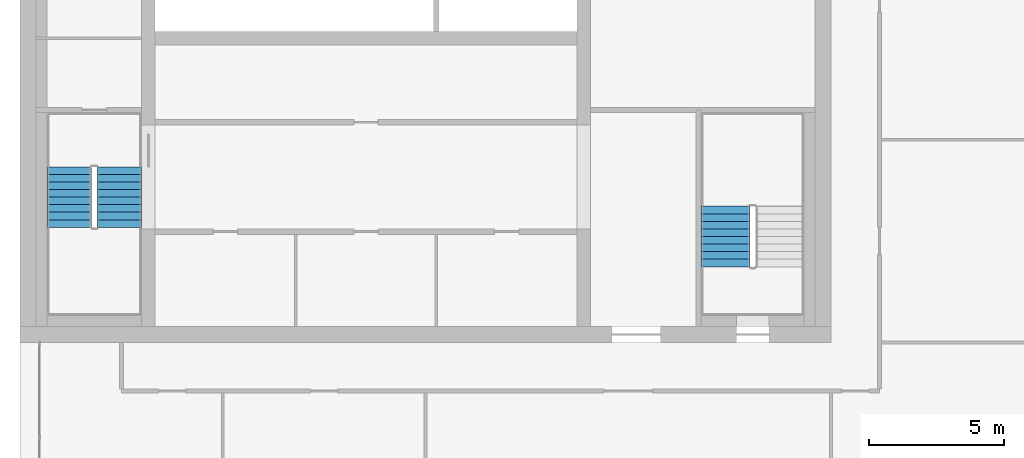
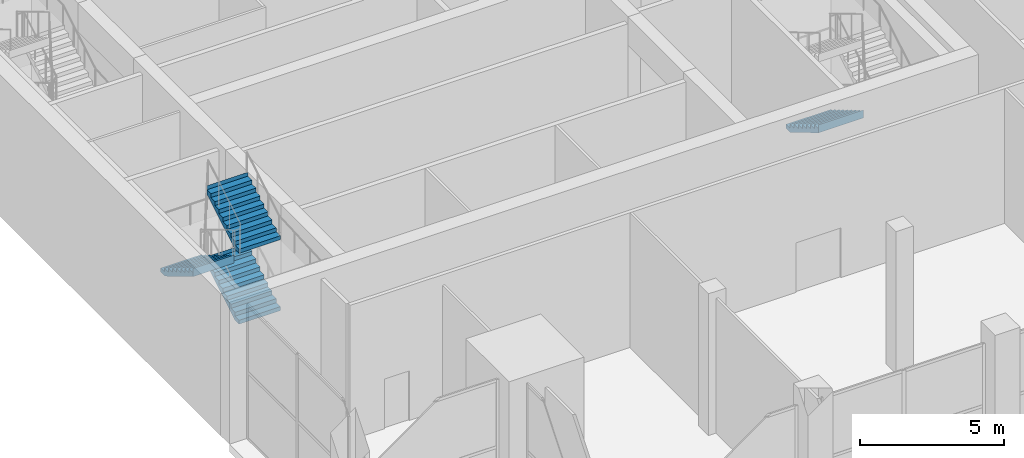
# One storey, part 11 of 15: 4 stair flights, 2 elements without a shape of their own.
"""IFC4 building model written with IfcOpenShell, lengths in metres."""

from ifc_helpers import new_model, si_unit, direction, frame, origin, place, context, subcontext, project, spatial, polyline, outline, extrude, material, type_object, element, aggregate, save


model = new_model("IFC4")

# Units and contexts
model_context = context("Model", 3, precision=1e-05, world=origin(), true_north=direction((0.0, 1.0)))
body_context = subcontext(model_context, "Body", "Model", "MODEL_VIEW")
ifc_project = project(units=[si_unit("LENGTHUNIT", "METRE"), si_unit("AREAUNIT", "SQUARE_METRE"), si_unit("VOLUMEUNIT", "CUBIC_METRE"), si_unit("PLANEANGLEUNIT", "RADIAN"), si_unit("MASSUNIT", "GRAM", prefix="KILO")], contexts=[model_context])

# Site, building, storey
site_placement = place(None, origin())
site = spatial("IfcSite", under=ifc_project, at=site_placement, CompositionType="ELEMENT")
building_placement = place(site_placement, origin())
building = spatial("IfcBuilding", under=site, at=building_placement, Name="Tamorin Gate", CompositionType="ELEMENT")
storey_placement = place(building_placement, frame((0.0, 0.0, 302.699951171875)))
storey = spatial("IfcBuildingStorey", under=building, at=storey_placement, Name="L75", CompositionType="ELEMENT", Elevation=302.699951171875)

# Stair, stair flights
ifc_material = material(Name="Concrete C40/50", Category="concrete")
stair_type = type_object("IfcStairType", Name="Exit stair", PredefinedType="HALF_TURN_STAIR", material=ifc_material)
stair_1_placement = place(storey_placement, origin())
stair_1 = element("IfcStair", 1, at=stair_1_placement, inside=storey, type_object=stair_type, Name="L75 stair ST1", PredefinedType="HALF_TURN_STAIR")
stair_flight_type = type_object("IfcStairFlightType", Name="Exit stair flight", PredefinedType="STRAIGHT", material=ifc_material)
stair_flight_1_placement = place(storey_placement, frame((33.675048828125, 64.260009765625, 1.5), z_axis=(0.0, 0.0, 1.0), x_axis=(0.0, 1.0, 0.0)))
stair_flight_1 = element("IfcStairFlight", 2, at=stair_flight_1_placement, type_object=stair_flight_type, Name="ST1 flight 2", NumberOfRisers=9, NumberOfTreads=8, PredefinedType="STRAIGHT", RiserHeight=0.166666667, TreadLength=0.28, context=body_context, shape_type="SweptSolid", body=[
    extrude(outline(polyline([(-0.00048828125, 0.0), (-0.00048828125, 0.001708984375), (-0.00048828125, 0.00341796875), (-0.00048828125, 0.0048828125), (-0.00048828125, 0.006591796875), (-0.00048828125, 0.00830078125), (-0.00048828125, 0.010009765625), (-0.00048828125, 0.011474609375), (-0.00048828125, 0.01318359375), (-0.00048828125, 0.014892578125), (-0.00048828125, 0.0166015625), (-0.00048828125, 0.01806640625), (-0.00048828125, 0.019775390625), (-0.00048828125, 0.021484375), (-0.00048828125, 0.023193359375), (-0.00048828125, 0.024658203125), (-0.00048828125, 0.0263671875), (-0.00048828125, 0.028076171875), (-0.00048828125, 0.02978515625), (-0.00048828125, 0.03125), (-0.00048828125, 0.032958984375), (-0.00048828125, 0.03466796875), (-0.00048828125, 0.036376953125), (-0.00048828125, 0.037841796875), (-0.00048828125, 0.03955078125), (-0.00048828125, 0.041259765625), (-0.00048828125, 0.04296875), (-0.00048828125, 0.04443359375), (-0.00048828125, 0.046142578125), (-0.00048828125, 0.0478515625), (-0.00048828125, 0.049560546875), (-0.00048828125, 0.05126953125), (-0.00048828125, 0.052734375), (-0.00048828125, 0.054443359375), (-0.00048828125, 0.05615234375), (-0.00048828125, 0.057861328125), (-0.00048828125, 0.059326171875), (-0.00048828125, 0.06103515625), (-0.00048828125, 0.062744140625), (-0.00048828125, 0.064453125), (-0.00048828125, 0.06591796875), (-0.00048828125, 0.067626953125), (-0.00048828125, 0.0693359375), (-0.00048828125, 0.071044921875), (-0.00048828125, 0.072509765625), (-0.00048828125, 0.07421875), (-0.00048828125, 0.075927734375), (-0.00048828125, 0.07763671875), (-0.00048828125, 0.0791015625), (-0.00048828125, 0.080810546875), (-0.00048828125, 0.08251953125), (-0.00048828125, 0.084228515625), (-0.00048828125, 0.085693359375), (-0.00048828125, 0.08740234375), (-0.00048828125, 0.089111328125), (-0.00048828125, 0.0908203125), (-0.00048828125, 0.092529296875), (-0.00048828125, 0.093994140625), (-0.00048828125, 0.095703125), (-0.00048828125, 0.097412109375), (-0.00048828125, 0.09912109375), (-0.00048828125, 0.1005859375), (-0.00048828125, 0.102294921875), (-0.00048828125, 0.10400390625), (-0.00048828125, 0.105712890625), (-0.00048828125, 0.107177734375), (-0.00048828125, 0.10888671875), (-0.00048828125, 0.110595703125), (-0.00048828125, 0.1123046875), (-0.00048828125, 0.11376953125), (-0.00048828125, 0.115478515625), (-0.00048828125, 0.1171875), (-0.00048828125, 0.118896484375), (-0.00048828125, 0.120361328125), (-0.00048828125, 0.1220703125), (-0.00048828125, 0.123779296875), (-0.00048828125, 0.12548828125), (-0.00048828125, 0.126953125), (-0.00048828125, 0.128662109375), (-0.00048828125, 0.13037109375), (-0.00048828125, 0.132080078125), (-0.00048828125, 0.133544921875), (-0.00048828125, 0.13525390625), (-0.00048828125, 0.136962890625), (-0.00048828125, 0.138671875), (-0.00048828125, 0.140380859375), (-0.00048828125, 0.141845703125), (-0.00048828125, 0.1435546875), (-0.00048828125, 0.145263671875), (-0.00048828125, 0.14697265625), (-0.00048828125, 0.1484375), (-0.00048828125, 0.150146484375), (-0.00048828125, 0.15185546875), (-0.00048828125, 0.153564453125), (-0.00048828125, 0.155029296875), (-0.00048828125, 0.15673828125), (-0.00048828125, 0.158447265625), (-0.00048828125, 0.16015625), (-0.00048828125, 0.16162109375), (-0.00048828125, 0.163330078125), (-0.00048828125, 0.1650390625), (-0.00048828125, 0.166748046875), (0.280029296875, 0.166748046875), (0.280029296875, 0.333251953125), (0.56005859375, 0.333251953125), (0.56005859375, 0.5), (0.840087890625, 0.5), (0.840087890625, 0.666748046875), (1.1201171875, 0.666748046875), (1.1201171875, 0.833251953125), (1.39990234375, 0.833251953125), (1.39990234375, 1.0), (1.679931640625, 1.0), (1.679931640625, 1.166748046875), (1.9599609375, 1.166748046875), (1.9599609375, 1.333251953125), (2.239990234375, 1.333251953125), (2.239990234375, 1.5), (2.240478515625, 1.5), (2.240478515625, 1.49658203125), (2.240478515625, 1.4931640625), (2.240478515625, 1.48974609375), (2.240478515625, 1.486572265625), (2.240478515625, 1.483154296875), (2.240478515625, 1.479736328125), (2.240478515625, 1.476318359375), (2.240478515625, 1.472900390625), (2.240478515625, 1.469482421875), (2.240478515625, 1.46630859375), (2.240478515625, 1.462890625), (2.240478515625, 1.45947265625), (2.240478515625, 1.4560546875), (2.240478515625, 1.45263671875), (2.240478515625, 1.44921875), (2.240478515625, 1.446044921875), (2.240478515625, 1.442626953125), (2.240478515625, 1.439208984375), (2.240478515625, 1.435791015625), (2.240478515625, 1.432373046875), (2.240478515625, 1.428955078125), (2.240478515625, 1.42578125), (2.240478515625, 1.42236328125), (2.240478515625, 1.4189453125), (2.240478515625, 1.41552734375), (2.240478515625, 1.412109375), (2.240478515625, 1.40869140625), (2.240478515625, 1.405517578125), (2.240478515625, 1.402099609375), (2.240478515625, 1.398681640625), (2.240478515625, 1.395263671875), (2.240478515625, 1.391845703125), (2.240478515625, 1.388427734375), (2.240478515625, 1.38525390625), (2.240478515625, 1.3818359375), (2.240478515625, 1.37841796875), (2.240478515625, 1.375), (2.240478515625, 1.37158203125), (2.240478515625, 1.3681640625), (2.240478515625, 1.364990234375), (2.240478515625, 1.361572265625), (2.240478515625, 1.358154296875), (2.240478515625, 1.354736328125), (2.240478515625, 1.351318359375), (2.240478515625, 1.347900390625), (2.240478515625, 1.3447265625), (2.240478515625, 1.34130859375), (2.240478515625, 1.337890625), (2.240478515625, 1.33447265625), (2.240478515625, 1.3310546875), (2.240478515625, 1.32763671875), (2.240478515625, 1.324462890625), (2.240478515625, 1.321044921875), (2.240478515625, 1.317626953125), (2.240478515625, 1.314208984375), (2.240478515625, 1.310791015625), (2.240478515625, 1.307373046875), (2.240478515625, 1.30419921875), (2.240478515625, 1.30078125), (2.240478515625, 1.29736328125), (2.240478515625, 1.2939453125), (2.240478515625, 1.29052734375), (2.240478515625, 1.287109375), (2.240478515625, 1.283935546875), (2.240478515625, 1.280517578125), (2.240478515625, 1.277099609375), (2.240478515625, 1.273681640625), (2.240478515625, 1.270263671875), (2.240478515625, 1.266845703125), (2.240478515625, 1.263671875), (2.240478515625, 1.26025390625), (2.240478515625, 1.2568359375), (2.240478515625, 1.25341796875), (2.240478515625, 1.25), (2.240478515625, 1.24658203125), (2.240478515625, 1.243408203125), (2.240478515625, 1.239990234375), (2.240478515625, 1.236572265625), (2.240478515625, 1.233154296875), (2.240478515625, 1.229736328125), (2.240478515625, 1.226318359375), (2.240478515625, 1.22314453125), (2.240478515625, 1.2197265625), (2.240478515625, 1.21630859375), (2.240478515625, 1.212890625), (2.240478515625, 1.20947265625), (2.240478515625, 1.2060546875), (2.240478515625, 1.202880859375), (2.240478515625, 1.199462890625), (2.240478515625, 1.196044921875), (2.240478515625, 1.192626953125), (2.240478515625, 1.189208984375), (2.240478515625, 1.185791015625), (2.240478515625, 1.1826171875), (2.240478515625, 1.17919921875), (2.240478515625, 1.17578125), (2.240478515625, 1.17236328125), (2.240478515625, 1.1689453125), (2.240478515625, 1.16552734375), (2.240478515625, 1.162353515625), (2.240478515625, 1.158935546875), (2.239990234375, 1.158935546875), (0.29296875, 0.0), (-0.00048828125, 0.0)])), frame((0.0, 0.824951171875, 0.0), z_axis=(0.0, -1.0, 0.0), x_axis=(1.0, 0.0, 0.0)), (0.0, 0.0, 1.0), 1.64990234375),
])
stair_flight_2_placement = place(storey_placement, frame((31.824951171875, 66.5, 3.0), z_axis=(0.0, 0.0, 1.0), x_axis=(0.0, -1.0, 0.0)))
stair_flight_2 = element("IfcStairFlight", 3, at=stair_flight_2_placement, type_object=stair_flight_type, Name="ST1 flight 3", NumberOfRisers=9, NumberOfTreads=8, PredefinedType="STRAIGHT", RiserHeight=0.166666667, TreadLength=0.28, context=body_context, shape_type="SweptSolid", body=[
    extrude(outline(polyline([(-0.00048828125, 0.0), (-0.00048828125, 0.001708984375), (-0.00048828125, 0.00341796875), (-0.00048828125, 0.0048828125), (-0.00048828125, 0.006591796875), (-0.00048828125, 0.00830078125), (-0.00048828125, 0.010009765625), (-0.00048828125, 0.011474609375), (-0.00048828125, 0.01318359375), (-0.00048828125, 0.014892578125), (-0.00048828125, 0.0166015625), (-0.00048828125, 0.01806640625), (-0.00048828125, 0.019775390625), (-0.00048828125, 0.021484375), (-0.00048828125, 0.023193359375), (-0.00048828125, 0.024658203125), (-0.00048828125, 0.0263671875), (-0.00048828125, 0.028076171875), (-0.00048828125, 0.02978515625), (-0.00048828125, 0.03125), (-0.00048828125, 0.032958984375), (-0.00048828125, 0.03466796875), (-0.00048828125, 0.036376953125), (-0.00048828125, 0.037841796875), (-0.00048828125, 0.03955078125), (-0.00048828125, 0.041259765625), (-0.00048828125, 0.04296875), (-0.00048828125, 0.04443359375), (-0.00048828125, 0.046142578125), (-0.00048828125, 0.0478515625), (-0.00048828125, 0.049560546875), (-0.00048828125, 0.05126953125), (-0.00048828125, 0.052734375), (-0.00048828125, 0.054443359375), (-0.00048828125, 0.05615234375), (-0.00048828125, 0.057861328125), (-0.00048828125, 0.059326171875), (-0.00048828125, 0.06103515625), (-0.00048828125, 0.062744140625), (-0.00048828125, 0.064453125), (-0.00048828125, 0.06591796875), (-0.00048828125, 0.067626953125), (-0.00048828125, 0.0693359375), (-0.00048828125, 0.071044921875), (-0.00048828125, 0.072509765625), (-0.00048828125, 0.07421875), (-0.00048828125, 0.075927734375), (-0.00048828125, 0.07763671875), (-0.00048828125, 0.0791015625), (-0.00048828125, 0.080810546875), (-0.00048828125, 0.08251953125), (-0.00048828125, 0.084228515625), (-0.00048828125, 0.085693359375), (-0.00048828125, 0.08740234375), (-0.00048828125, 0.089111328125), (-0.00048828125, 0.0908203125), (-0.00048828125, 0.092529296875), (-0.00048828125, 0.093994140625), (-0.00048828125, 0.095703125), (-0.00048828125, 0.097412109375), (-0.00048828125, 0.09912109375), (-0.00048828125, 0.1005859375), (-0.00048828125, 0.102294921875), (-0.00048828125, 0.10400390625), (-0.00048828125, 0.105712890625), (-0.00048828125, 0.107177734375), (-0.00048828125, 0.10888671875), (-0.00048828125, 0.110595703125), (-0.00048828125, 0.1123046875), (-0.00048828125, 0.11376953125), (-0.00048828125, 0.115478515625), (-0.00048828125, 0.1171875), (-0.00048828125, 0.118896484375), (-0.00048828125, 0.120361328125), (-0.00048828125, 0.1220703125), (-0.00048828125, 0.123779296875), (-0.00048828125, 0.12548828125), (-0.00048828125, 0.126953125), (-0.00048828125, 0.128662109375), (-0.00048828125, 0.13037109375), (-0.00048828125, 0.132080078125), (-0.00048828125, 0.133544921875), (-0.00048828125, 0.13525390625), (-0.00048828125, 0.136962890625), (-0.00048828125, 0.138671875), (-0.00048828125, 0.140380859375), (-0.00048828125, 0.141845703125), (-0.00048828125, 0.1435546875), (-0.00048828125, 0.145263671875), (-0.00048828125, 0.14697265625), (-0.00048828125, 0.1484375), (-0.00048828125, 0.150146484375), (-0.00048828125, 0.15185546875), (-0.00048828125, 0.153564453125), (-0.00048828125, 0.155029296875), (-0.00048828125, 0.15673828125), (-0.00048828125, 0.158447265625), (-0.00048828125, 0.16015625), (-0.00048828125, 0.16162109375), (-0.00048828125, 0.163330078125), (-0.00048828125, 0.1650390625), (-0.00048828125, 0.166748046875), (0.280029296875, 0.166748046875), (0.280029296875, 0.333251953125), (0.56005859375, 0.333251953125), (0.56005859375, 0.5), (0.840087890625, 0.5), (0.840087890625, 0.666748046875), (1.1201171875, 0.666748046875), (1.1201171875, 0.833251953125), (1.39990234375, 0.833251953125), (1.39990234375, 1.0), (1.679931640625, 1.0), (1.679931640625, 1.166748046875), (1.9599609375, 1.166748046875), (1.9599609375, 1.333251953125), (2.239990234375, 1.333251953125), (2.239990234375, 1.5), (2.240478515625, 1.5), (2.240478515625, 1.49658203125), (2.240478515625, 1.4931640625), (2.240478515625, 1.48974609375), (2.240478515625, 1.486572265625), (2.240478515625, 1.483154296875), (2.240478515625, 1.479736328125), (2.240478515625, 1.476318359375), (2.240478515625, 1.472900390625), (2.240478515625, 1.469482421875), (2.240478515625, 1.46630859375), (2.240478515625, 1.462890625), (2.240478515625, 1.45947265625), (2.240478515625, 1.4560546875), (2.240478515625, 1.45263671875), (2.240478515625, 1.44921875), (2.240478515625, 1.446044921875), (2.240478515625, 1.442626953125), (2.240478515625, 1.439208984375), (2.240478515625, 1.435791015625), (2.240478515625, 1.432373046875), (2.240478515625, 1.428955078125), (2.240478515625, 1.42578125), (2.240478515625, 1.42236328125), (2.240478515625, 1.4189453125), (2.240478515625, 1.41552734375), (2.240478515625, 1.412109375), (2.240478515625, 1.40869140625), (2.240478515625, 1.405517578125), (2.240478515625, 1.402099609375), (2.240478515625, 1.398681640625), (2.240478515625, 1.395263671875), (2.240478515625, 1.391845703125), (2.240478515625, 1.388427734375), (2.240478515625, 1.38525390625), (2.240478515625, 1.3818359375), (2.240478515625, 1.37841796875), (2.240478515625, 1.375), (2.240478515625, 1.37158203125), (2.240478515625, 1.3681640625), (2.240478515625, 1.364990234375), (2.240478515625, 1.361572265625), (2.240478515625, 1.358154296875), (2.240478515625, 1.354736328125), (2.240478515625, 1.351318359375), (2.240478515625, 1.347900390625), (2.240478515625, 1.3447265625), (2.240478515625, 1.34130859375), (2.240478515625, 1.337890625), (2.240478515625, 1.33447265625), (2.240478515625, 1.3310546875), (2.240478515625, 1.32763671875), (2.240478515625, 1.324462890625), (2.240478515625, 1.321044921875), (2.240478515625, 1.317626953125), (2.240478515625, 1.314208984375), (2.240478515625, 1.310791015625), (2.240478515625, 1.307373046875), (2.240478515625, 1.30419921875), (2.240478515625, 1.30078125), (2.240478515625, 1.29736328125), (2.240478515625, 1.2939453125), (2.240478515625, 1.29052734375), (2.240478515625, 1.287109375), (2.240478515625, 1.283935546875), (2.240478515625, 1.280517578125), (2.240478515625, 1.277099609375), (2.240478515625, 1.273681640625), (2.240478515625, 1.270263671875), (2.240478515625, 1.266845703125), (2.240478515625, 1.263671875), (2.240478515625, 1.26025390625), (2.240478515625, 1.2568359375), (2.240478515625, 1.25341796875), (2.240478515625, 1.25), (2.240478515625, 1.24658203125), (2.240478515625, 1.243408203125), (2.240478515625, 1.239990234375), (2.240478515625, 1.236572265625), (2.240478515625, 1.233154296875), (2.240478515625, 1.229736328125), (2.240478515625, 1.226318359375), (2.240478515625, 1.22314453125), (2.240478515625, 1.2197265625), (2.240478515625, 1.21630859375), (2.240478515625, 1.212890625), (2.240478515625, 1.20947265625), (2.240478515625, 1.2060546875), (2.240478515625, 1.202880859375), (2.240478515625, 1.199462890625), (2.240478515625, 1.196044921875), (2.240478515625, 1.192626953125), (2.240478515625, 1.189208984375), (2.240478515625, 1.185791015625), (2.240478515625, 1.1826171875), (2.240478515625, 1.17919921875), (2.240478515625, 1.17578125), (2.240478515625, 1.17236328125), (2.240478515625, 1.1689453125), (2.240478515625, 1.16552734375), (2.240478515625, 1.162353515625), (2.240478515625, 1.158935546875), (2.239990234375, 1.158935546875), (0.29296875, 0.0), (-0.00048828125, 0.0)])), frame((0.0, 0.824951171875, 0.0), z_axis=(0.0, -1.0, 0.0), x_axis=(1.0, 0.0, 0.0)), (0.0, 0.0, 1.0), 1.64990234375),
])
stair_flight_3_placement = place(storey_placement, frame((33.675048828125, 64.260009765625, 4.5), z_axis=(0.0, 0.0, 1.0), x_axis=(0.0, 1.0, 0.0)))
stair_flight_3 = element("IfcStairFlight", 4, at=stair_flight_3_placement, type_object=stair_flight_type, Name="ST1 flight 4", NumberOfRisers=9, NumberOfTreads=8, PredefinedType="STRAIGHT", RiserHeight=0.166666667, TreadLength=0.28, context=body_context, shape_type="SweptSolid", body=[
    extrude(outline(polyline([(-0.00048828125, 0.0), (-0.00048828125, 0.001708984375), (-0.00048828125, 0.00341796875), (-0.00048828125, 0.0048828125), (-0.00048828125, 0.006591796875), (-0.00048828125, 0.00830078125), (-0.00048828125, 0.010009765625), (-0.00048828125, 0.011474609375), (-0.00048828125, 0.01318359375), (-0.00048828125, 0.014892578125), (-0.00048828125, 0.0166015625), (-0.00048828125, 0.01806640625), (-0.00048828125, 0.019775390625), (-0.00048828125, 0.021484375), (-0.00048828125, 0.023193359375), (-0.00048828125, 0.024658203125), (-0.00048828125, 0.0263671875), (-0.00048828125, 0.028076171875), (-0.00048828125, 0.02978515625), (-0.00048828125, 0.03125), (-0.00048828125, 0.032958984375), (-0.00048828125, 0.03466796875), (-0.00048828125, 0.036376953125), (-0.00048828125, 0.037841796875), (-0.00048828125, 0.03955078125), (-0.00048828125, 0.041259765625), (-0.00048828125, 0.04296875), (-0.00048828125, 0.04443359375), (-0.00048828125, 0.046142578125), (-0.00048828125, 0.0478515625), (-0.00048828125, 0.049560546875), (-0.00048828125, 0.05126953125), (-0.00048828125, 0.052734375), (-0.00048828125, 0.054443359375), (-0.00048828125, 0.05615234375), (-0.00048828125, 0.057861328125), (-0.00048828125, 0.059326171875), (-0.00048828125, 0.06103515625), (-0.00048828125, 0.062744140625), (-0.00048828125, 0.064453125), (-0.00048828125, 0.06591796875), (-0.00048828125, 0.067626953125), (-0.00048828125, 0.0693359375), (-0.00048828125, 0.071044921875), (-0.00048828125, 0.072509765625), (-0.00048828125, 0.07421875), (-0.00048828125, 0.075927734375), (-0.00048828125, 0.07763671875), (-0.00048828125, 0.0791015625), (-0.00048828125, 0.080810546875), (-0.00048828125, 0.08251953125), (-0.00048828125, 0.084228515625), (-0.00048828125, 0.085693359375), (-0.00048828125, 0.08740234375), (-0.00048828125, 0.089111328125), (-0.00048828125, 0.0908203125), (-0.00048828125, 0.092529296875), (-0.00048828125, 0.093994140625), (-0.00048828125, 0.095703125), (-0.00048828125, 0.097412109375), (-0.00048828125, 0.09912109375), (-0.00048828125, 0.1005859375), (-0.00048828125, 0.102294921875), (-0.00048828125, 0.10400390625), (-0.00048828125, 0.105712890625), (-0.00048828125, 0.107177734375), (-0.00048828125, 0.10888671875), (-0.00048828125, 0.110595703125), (-0.00048828125, 0.1123046875), (-0.00048828125, 0.11376953125), (-0.00048828125, 0.115478515625), (-0.00048828125, 0.1171875), (-0.00048828125, 0.118896484375), (-0.00048828125, 0.120361328125), (-0.00048828125, 0.1220703125), (-0.00048828125, 0.123779296875), (-0.00048828125, 0.12548828125), (-0.00048828125, 0.126953125), (-0.00048828125, 0.128662109375), (-0.00048828125, 0.13037109375), (-0.00048828125, 0.132080078125), (-0.00048828125, 0.133544921875), (-0.00048828125, 0.13525390625), (-0.00048828125, 0.136962890625), (-0.00048828125, 0.138671875), (-0.00048828125, 0.140380859375), (-0.00048828125, 0.141845703125), (-0.00048828125, 0.1435546875), (-0.00048828125, 0.145263671875), (-0.00048828125, 0.14697265625), (-0.00048828125, 0.1484375), (-0.00048828125, 0.150146484375), (-0.00048828125, 0.15185546875), (-0.00048828125, 0.153564453125), (-0.00048828125, 0.155029296875), (-0.00048828125, 0.15673828125), (-0.00048828125, 0.158447265625), (-0.00048828125, 0.16015625), (-0.00048828125, 0.16162109375), (-0.00048828125, 0.163330078125), (-0.00048828125, 0.1650390625), (-0.00048828125, 0.166748046875), (0.280029296875, 0.166748046875), (0.280029296875, 0.333251953125), (0.56005859375, 0.333251953125), (0.56005859375, 0.5), (0.840087890625, 0.5), (0.840087890625, 0.666748046875), (1.1201171875, 0.666748046875), (1.1201171875, 0.833251953125), (1.39990234375, 0.833251953125), (1.39990234375, 1.0), (1.679931640625, 1.0), (1.679931640625, 1.166748046875), (1.9599609375, 1.166748046875), (1.9599609375, 1.333251953125), (2.239990234375, 1.333251953125), (2.239990234375, 1.5), (2.240478515625, 1.5), (2.240478515625, 1.49658203125), (2.240478515625, 1.4931640625), (2.240478515625, 1.48974609375), (2.240478515625, 1.486572265625), (2.240478515625, 1.483154296875), (2.240478515625, 1.479736328125), (2.240478515625, 1.476318359375), (2.240478515625, 1.472900390625), (2.240478515625, 1.469482421875), (2.240478515625, 1.46630859375), (2.240478515625, 1.462890625), (2.240478515625, 1.45947265625), (2.240478515625, 1.4560546875), (2.240478515625, 1.45263671875), (2.240478515625, 1.44921875), (2.240478515625, 1.446044921875), (2.240478515625, 1.442626953125), (2.240478515625, 1.439208984375), (2.240478515625, 1.435791015625), (2.240478515625, 1.432373046875), (2.240478515625, 1.428955078125), (2.240478515625, 1.42578125), (2.240478515625, 1.42236328125), (2.240478515625, 1.4189453125), (2.240478515625, 1.41552734375), (2.240478515625, 1.412109375), (2.240478515625, 1.40869140625), (2.240478515625, 1.405517578125), (2.240478515625, 1.402099609375), (2.240478515625, 1.398681640625), (2.240478515625, 1.395263671875), (2.240478515625, 1.391845703125), (2.240478515625, 1.388427734375), (2.240478515625, 1.38525390625), (2.240478515625, 1.3818359375), (2.240478515625, 1.37841796875), (2.240478515625, 1.375), (2.240478515625, 1.37158203125), (2.240478515625, 1.3681640625), (2.240478515625, 1.364990234375), (2.240478515625, 1.361572265625), (2.240478515625, 1.358154296875), (2.240478515625, 1.354736328125), (2.240478515625, 1.351318359375), (2.240478515625, 1.347900390625), (2.240478515625, 1.3447265625), (2.240478515625, 1.34130859375), (2.240478515625, 1.337890625), (2.240478515625, 1.33447265625), (2.240478515625, 1.3310546875), (2.240478515625, 1.32763671875), (2.240478515625, 1.324462890625), (2.240478515625, 1.321044921875), (2.240478515625, 1.317626953125), (2.240478515625, 1.314208984375), (2.240478515625, 1.310791015625), (2.240478515625, 1.307373046875), (2.240478515625, 1.30419921875), (2.240478515625, 1.30078125), (2.240478515625, 1.29736328125), (2.240478515625, 1.2939453125), (2.240478515625, 1.29052734375), (2.240478515625, 1.287109375), (2.240478515625, 1.283935546875), (2.240478515625, 1.280517578125), (2.240478515625, 1.277099609375), (2.240478515625, 1.273681640625), (2.240478515625, 1.270263671875), (2.240478515625, 1.266845703125), (2.240478515625, 1.263671875), (2.240478515625, 1.26025390625), (2.240478515625, 1.2568359375), (2.240478515625, 1.25341796875), (2.240478515625, 1.25), (2.240478515625, 1.24658203125), (2.240478515625, 1.243408203125), (2.240478515625, 1.239990234375), (2.240478515625, 1.236572265625), (2.240478515625, 1.233154296875), (2.240478515625, 1.229736328125), (2.240478515625, 1.226318359375), (2.240478515625, 1.22314453125), (2.240478515625, 1.2197265625), (2.240478515625, 1.21630859375), (2.240478515625, 1.212890625), (2.240478515625, 1.20947265625), (2.240478515625, 1.2060546875), (2.240478515625, 1.202880859375), (2.240478515625, 1.199462890625), (2.240478515625, 1.196044921875), (2.240478515625, 1.192626953125), (2.240478515625, 1.189208984375), (2.240478515625, 1.185791015625), (2.240478515625, 1.1826171875), (2.240478515625, 1.17919921875), (2.240478515625, 1.17578125), (2.240478515625, 1.17236328125), (2.240478515625, 1.1689453125), (2.240478515625, 1.16552734375), (2.240478515625, 1.162353515625), (2.240478515625, 1.158935546875), (2.239990234375, 1.158935546875), (0.29296875, 0.0), (-0.00048828125, 0.0)])), frame((0.0, 0.824951171875, 0.0), z_axis=(0.0, -1.0, 0.0), x_axis=(1.0, 0.0, 0.0)), (0.0, 0.0, 1.0), 1.64990234375),
])
aggregate(stair_1, [stair_flight_1, stair_flight_2, stair_flight_3])

# Stair, stair flight
stair_2_placement = place(storey_placement, origin())
stair_2 = element("IfcStair", 5, at=stair_2_placement, inside=storey, type_object=stair_type, Name="L75 stair ST3", PredefinedType="HALF_TURN_STAIR")
stair_flight_4_placement = place(storey_placement, frame((56.10009765625, 65.0400390625, 1.5), z_axis=(0.0, 0.0, 1.0), x_axis=(0.0, -1.0, 0.0)))
stair_flight_4 = element("IfcStairFlight", 6, at=stair_flight_4_placement, type_object=stair_flight_type, Name="ST3 flight 2", NumberOfRisers=9, NumberOfTreads=8, PredefinedType="STRAIGHT", RiserHeight=0.166666667, TreadLength=0.28, context=body_context, shape_type="SweptSolid", body=[
    extrude(outline(polyline([(-0.00048828125, 0.0), (-0.00048828125, 0.001708984375), (-0.00048828125, 0.00341796875), (-0.00048828125, 0.0048828125), (-0.00048828125, 0.006591796875), (-0.00048828125, 0.00830078125), (-0.00048828125, 0.010009765625), (-0.00048828125, 0.011474609375), (-0.00048828125, 0.01318359375), (-0.00048828125, 0.014892578125), (-0.00048828125, 0.0166015625), (-0.00048828125, 0.01806640625), (-0.00048828125, 0.019775390625), (-0.00048828125, 0.021484375), (-0.00048828125, 0.023193359375), (-0.00048828125, 0.024658203125), (-0.00048828125, 0.0263671875), (-0.00048828125, 0.028076171875), (-0.00048828125, 0.02978515625), (-0.00048828125, 0.03125), (-0.00048828125, 0.032958984375), (-0.00048828125, 0.03466796875), (-0.00048828125, 0.036376953125), (-0.00048828125, 0.037841796875), (-0.00048828125, 0.03955078125), (-0.00048828125, 0.041259765625), (-0.00048828125, 0.04296875), (-0.00048828125, 0.04443359375), (-0.00048828125, 0.046142578125), (-0.00048828125, 0.0478515625), (-0.00048828125, 0.049560546875), (-0.00048828125, 0.05126953125), (-0.00048828125, 0.052734375), (-0.00048828125, 0.054443359375), (-0.00048828125, 0.05615234375), (-0.00048828125, 0.057861328125), (-0.00048828125, 0.059326171875), (-0.00048828125, 0.06103515625), (-0.00048828125, 0.062744140625), (-0.00048828125, 0.064453125), (-0.00048828125, 0.06591796875), (-0.00048828125, 0.067626953125), (-0.00048828125, 0.0693359375), (-0.00048828125, 0.071044921875), (-0.00048828125, 0.072509765625), (-0.00048828125, 0.07421875), (-0.00048828125, 0.075927734375), (-0.00048828125, 0.07763671875), (-0.00048828125, 0.0791015625), (-0.00048828125, 0.080810546875), (-0.00048828125, 0.08251953125), (-0.00048828125, 0.084228515625), (-0.00048828125, 0.085693359375), (-0.00048828125, 0.08740234375), (-0.00048828125, 0.089111328125), (-0.00048828125, 0.0908203125), (-0.00048828125, 0.092529296875), (-0.00048828125, 0.093994140625), (-0.00048828125, 0.095703125), (-0.00048828125, 0.097412109375), (-0.00048828125, 0.09912109375), (-0.00048828125, 0.1005859375), (-0.00048828125, 0.102294921875), (-0.00048828125, 0.10400390625), (-0.00048828125, 0.105712890625), (-0.00048828125, 0.107177734375), (-0.00048828125, 0.10888671875), (-0.00048828125, 0.110595703125), (-0.00048828125, 0.1123046875), (-0.00048828125, 0.11376953125), (-0.00048828125, 0.115478515625), (-0.00048828125, 0.1171875), (-0.00048828125, 0.118896484375), (-0.00048828125, 0.120361328125), (-0.00048828125, 0.1220703125), (-0.00048828125, 0.123779296875), (-0.00048828125, 0.12548828125), (-0.00048828125, 0.126953125), (-0.00048828125, 0.128662109375), (-0.00048828125, 0.13037109375), (-0.00048828125, 0.132080078125), (-0.00048828125, 0.133544921875), (-0.00048828125, 0.13525390625), (-0.00048828125, 0.136962890625), (-0.00048828125, 0.138671875), (-0.00048828125, 0.140380859375), (-0.00048828125, 0.141845703125), (-0.00048828125, 0.1435546875), (-0.00048828125, 0.145263671875), (-0.00048828125, 0.14697265625), (-0.00048828125, 0.1484375), (-0.00048828125, 0.150146484375), (-0.00048828125, 0.15185546875), (-0.00048828125, 0.153564453125), (-0.00048828125, 0.155029296875), (-0.00048828125, 0.15673828125), (-0.00048828125, 0.158447265625), (-0.00048828125, 0.16015625), (-0.00048828125, 0.16162109375), (-0.00048828125, 0.163330078125), (-0.00048828125, 0.1650390625), (-0.00048828125, 0.166748046875), (0.280029296875, 0.166748046875), (0.280029296875, 0.333251953125), (0.56005859375, 0.333251953125), (0.56005859375, 0.5), (0.840087890625, 0.5), (0.840087890625, 0.666748046875), (1.1201171875, 0.666748046875), (1.1201171875, 0.833251953125), (1.39990234375, 0.833251953125), (1.39990234375, 1.0), (1.679931640625, 1.0), (1.679931640625, 1.166748046875), (1.9599609375, 1.166748046875), (1.9599609375, 1.333251953125), (2.239990234375, 1.333251953125), (2.239990234375, 1.5), (2.240478515625, 1.5), (2.240478515625, 1.49658203125), (2.240478515625, 1.4931640625), (2.240478515625, 1.48974609375), (2.240478515625, 1.486572265625), (2.240478515625, 1.483154296875), (2.240478515625, 1.479736328125), (2.240478515625, 1.476318359375), (2.240478515625, 1.472900390625), (2.240478515625, 1.469482421875), (2.240478515625, 1.46630859375), (2.240478515625, 1.462890625), (2.240478515625, 1.45947265625), (2.240478515625, 1.4560546875), (2.240478515625, 1.45263671875), (2.240478515625, 1.44921875), (2.240478515625, 1.446044921875), (2.240478515625, 1.442626953125), (2.240478515625, 1.439208984375), (2.240478515625, 1.435791015625), (2.240478515625, 1.432373046875), (2.240478515625, 1.428955078125), (2.240478515625, 1.42578125), (2.240478515625, 1.42236328125), (2.240478515625, 1.4189453125), (2.240478515625, 1.41552734375), (2.240478515625, 1.412109375), (2.240478515625, 1.40869140625), (2.240478515625, 1.405517578125), (2.240478515625, 1.402099609375), (2.240478515625, 1.398681640625), (2.240478515625, 1.395263671875), (2.240478515625, 1.391845703125), (2.240478515625, 1.388427734375), (2.240478515625, 1.38525390625), (2.240478515625, 1.3818359375), (2.240478515625, 1.37841796875), (2.240478515625, 1.375), (2.240478515625, 1.37158203125), (2.240478515625, 1.3681640625), (2.240478515625, 1.364990234375), (2.240478515625, 1.361572265625), (2.240478515625, 1.358154296875), (2.240478515625, 1.354736328125), (2.240478515625, 1.351318359375), (2.240478515625, 1.347900390625), (2.240478515625, 1.3447265625), (2.240478515625, 1.34130859375), (2.240478515625, 1.337890625), (2.240478515625, 1.33447265625), (2.240478515625, 1.3310546875), (2.240478515625, 1.32763671875), (2.240478515625, 1.324462890625), (2.240478515625, 1.321044921875), (2.240478515625, 1.317626953125), (2.240478515625, 1.314208984375), (2.240478515625, 1.310791015625), (2.240478515625, 1.307373046875), (2.240478515625, 1.30419921875), (2.240478515625, 1.30078125), (2.240478515625, 1.29736328125), (2.240478515625, 1.2939453125), (2.240478515625, 1.29052734375), (2.240478515625, 1.287109375), (2.240478515625, 1.283935546875), (2.240478515625, 1.280517578125), (2.240478515625, 1.277099609375), (2.240478515625, 1.273681640625), (2.240478515625, 1.270263671875), (2.240478515625, 1.266845703125), (2.240478515625, 1.263671875), (2.240478515625, 1.26025390625), (2.240478515625, 1.2568359375), (2.240478515625, 1.25341796875), (2.240478515625, 1.25), (2.240478515625, 1.24658203125), (2.240478515625, 1.243408203125), (2.240478515625, 1.239990234375), (2.240478515625, 1.236572265625), (2.240478515625, 1.233154296875), (2.240478515625, 1.229736328125), (2.240478515625, 1.226318359375), (2.240478515625, 1.22314453125), (2.240478515625, 1.2197265625), (2.240478515625, 1.21630859375), (2.240478515625, 1.212890625), (2.240478515625, 1.20947265625), (2.240478515625, 1.2060546875), (2.240478515625, 1.202880859375), (2.240478515625, 1.199462890625), (2.240478515625, 1.196044921875), (2.240478515625, 1.192626953125), (2.240478515625, 1.189208984375), (2.240478515625, 1.185791015625), (2.240478515625, 1.1826171875), (2.240478515625, 1.17919921875), (2.240478515625, 1.17578125), (2.240478515625, 1.17236328125), (2.240478515625, 1.1689453125), (2.240478515625, 1.16552734375), (2.240478515625, 1.162353515625), (2.240478515625, 1.158935546875), (2.239990234375, 1.158935546875), (0.29296875, 0.0), (-0.00048828125, 0.0)])), frame((0.0, 0.89990234375, 0.0), z_axis=(0.0, -1.0, 0.0), x_axis=(1.0, 0.0, 0.0)), (0.0, 0.0, 1.0), 1.800048828125),
])
aggregate(stair_2, [stair_flight_4])

save(model, "model.ifc")
